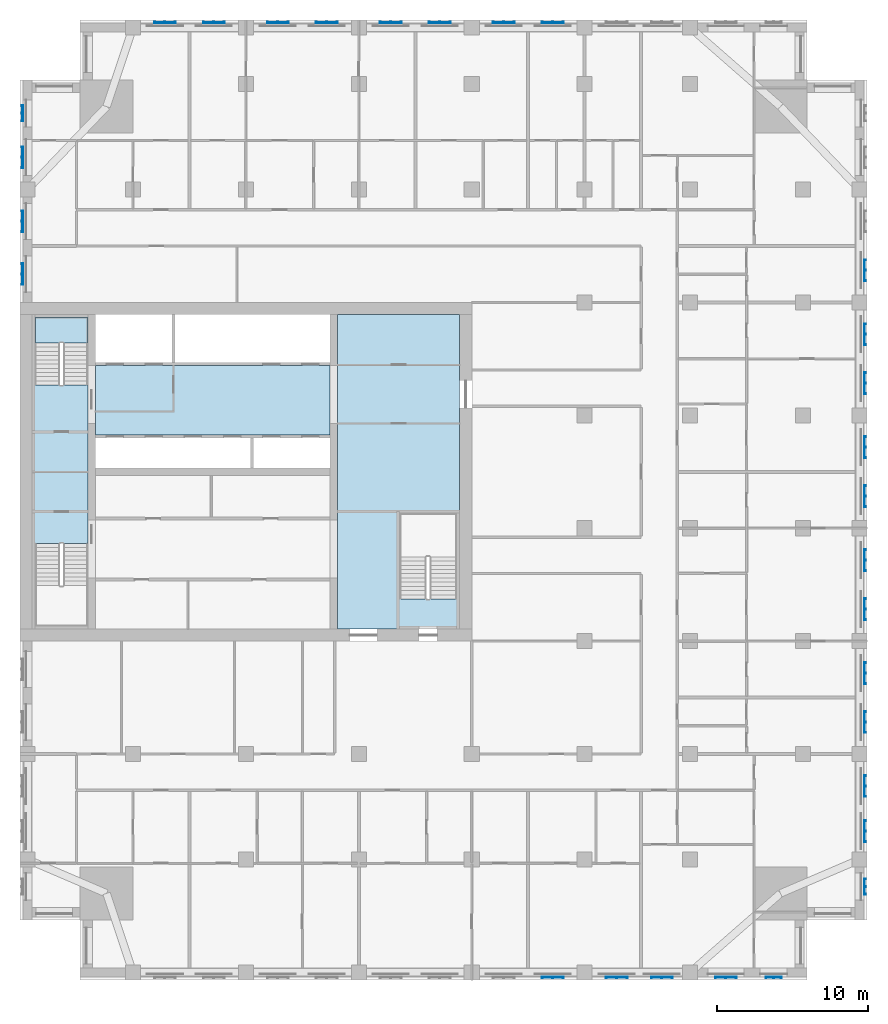
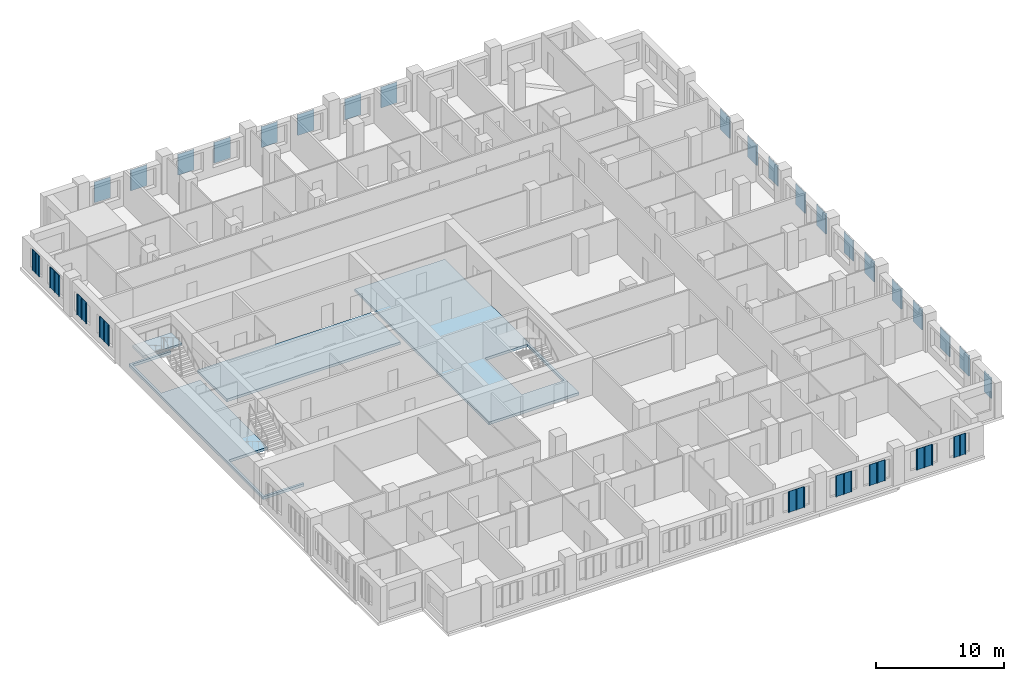
# One storey, part 2 of 14: 29 plates, 4 slabs, 1 element without a shape of its own.
"""IFC4 building model written with IfcOpenShell, lengths in metres."""

from ifc_helpers import new_model, si_unit, direction, frame, origin, place, context, subcontext, project, spatial, polyline, outline, extrude, material, layer, layer_set, type_object, element, aggregate, save


model = new_model("IFC4")

# Units and contexts
model_context = context("Model", 3, precision=1e-05, world=origin(), true_north=direction((0.0, 1.0)))
body_context = subcontext(model_context, "Body", "Model", "MODEL_VIEW")
ifc_project = project(units=[si_unit("LENGTHUNIT", "METRE"), si_unit("AREAUNIT", "SQUARE_METRE"), si_unit("VOLUMEUNIT", "CUBIC_METRE"), si_unit("PLANEANGLEUNIT", "RADIAN"), si_unit("MASSUNIT", "GRAM", prefix="KILO")], contexts=[model_context])

# Site, building, storey
site_placement = place(None, origin())
site = spatial("IfcSite", under=ifc_project, at=site_placement, CompositionType="ELEMENT")
building_placement = place(site_placement, origin())
building = spatial("IfcBuilding", under=site, at=building_placement, Name="Tamorin Gate", CompositionType="ELEMENT")
storey_placement = place(building_placement, frame((0.0, 0.0, 151.800048828125)))
storey = spatial("IfcBuildingStorey", under=building, at=storey_placement, Name="L37", CompositionType="ELEMENT", Elevation=151.800048828125)

# Slabs
ifc_material_1 = material(Name="Concrete C40/50", Category="concrete")
ifc_layer_1 = layer(ifc_material_1, 0.25)
ifc_layer_set_1 = layer_set([ifc_layer_1], Name="Core floor slab 250 C40/50")
slab_type_1 = type_object("IfcSlabType", Name="Core floor slab 250 C40/50", PredefinedType="FLOOR", material=ifc_layer_set_1)
slab_1_placement = place(storey_placement, frame((0.0, 0.0, -0.25)))
element("IfcSlab", 1, at=slab_1_placement, inside=storey, type_object=slab_type_1, Name="Core floor L37", PredefinedType="FLOOR", context=body_context, shape_type="SweptSolid", body=[
    extrude(outline(polyline([(51.10009765625, 81.699951171875), (59.199951171875, 81.699951171875), (59.199951171875, 60.800048828125), (51.10009765625, 60.800048828125), (51.10009765625, 81.699951171875)]), holes=[polyline([(55.199951171875, 62.800048828125), (59.0, 62.800048828125), (59.0, 68.5), (55.199951171875, 68.5), (55.199951171875, 62.800048828125)])]), origin(), (0.0, 0.0, 1.0), 0.25),
])
slab_2_placement = place(storey_placement, frame((0.0, 0.0, -0.25)))
element("IfcSlab", 2, at=slab_2_placement, inside=storey, type_object=slab_type_1, Name="Core floor L37", PredefinedType="FLOOR", context=body_context, shape_type="SweptSolid", body=[
    extrude(outline(polyline([(50.60009765625, 73.699951171875), (35.0, 73.699951171875), (35.0, 78.300048828125), (50.60009765625, 78.300048828125), (50.60009765625, 73.699951171875)])), origin(), (0.0, 0.0, 1.0), 0.25),
])
slab_3_placement = place(storey_placement, frame((0.0, 0.0, -0.25)))
element("IfcSlab", 3, at=slab_3_placement, inside=storey, type_object=slab_type_1, Name="Core floor L37", PredefinedType="FLOOR", context=body_context, shape_type="SweptSolid", body=[
    extrude(outline(polyline([(34.5, 60.800048828125), (30.800048828125, 60.800048828125), (30.800048828125, 81.699951171875), (34.5, 81.699951171875), (34.5, 81.5), (31.0, 81.5), (31.0, 77.0), (34.5, 77.0), (34.5, 66.5), (31.0, 66.5), (31.0, 61.0), (34.5, 61.0), (34.5, 60.800048828125)])), origin(), (0.0, 0.0, 1.0), 0.25),
])

# Stair, slab
stair_type = type_object("IfcStairType", Name="Exit stair", PredefinedType="HALF_TURN_STAIR", material=ifc_material_1)
stair_placement = place(storey_placement, origin())
stair = element("IfcStair", 4, at=stair_placement, inside=storey, type_object=stair_type, Name="L37 stair ST2", PredefinedType="HALF_TURN_STAIR")
ifc_layer_2 = layer(ifc_material_1, 0.199951171875)
ifc_layer_set_2 = layer_set([ifc_layer_2], Name="Exit stair landing 200")
slab_type_2 = type_object("IfcSlabType", Name="Exit stair landing 200", PredefinedType="LANDING", material=ifc_layer_set_2)
slab_4_placement = place(storey_placement, frame((0.0, 0.0, 1.599853515625)))
slab_4 = element("IfcSlab", 5, at=slab_4_placement, type_object=slab_type_2, Name="ST2 landing 1", PredefinedType="LANDING", context=body_context, shape_type="SweptSolid", body=[
    extrude(outline(polyline([(34.5, 79.800048828125), (34.5, 81.5), (31.0, 81.5), (31.0, 79.800048828125), (34.5, 79.800048828125)])), origin(), (0.0, 0.0, 1.0), 0.2001953125),
])
aggregate(stair, [slab_4])

# Plates
ifc_material_2 = material(Name="Perforated pale aluminium sheet", Category="aluminium")
ifc_layer_3 = layer(ifc_material_2, 0.0400390625)
ifc_layer_set_3 = layer_set([ifc_layer_3], Name="Pale metal solar screen 1080")
plate_type_1 = type_object("IfcPlateType", Name="Pale metal solar screen 1080", PredefinedType="SHEET", material=ifc_layer_set_3)
plate_1_placement = place(storey_placement, frame((0.0, 0.0, 0.7099609375)))
element("IfcPlate", 6, at=plate_1_placement, inside=storey, type_object=plate_type_1, Name="Perforated solar screen", PredefinedType="SHEET", context=body_context, shape_type="SweptSolid", body=[
    extrude(outline(polyline([(79.510009765625, 37.659912109375), (79.510009765625, 37.699951171875), (79.570068359375, 37.699951171875), (80.02001953125, 37.699951171875), (80.080078125, 37.699951171875), (80.530029296875, 37.699951171875), (80.590087890625, 37.699951171875), (80.590087890625, 37.659912109375), (80.590087890625, 37.60009765625), (80.530029296875, 37.60009765625), (80.530029296875, 37.659912109375), (80.080078125, 37.659912109375), (80.080078125, 37.60009765625), (80.02001953125, 37.60009765625), (80.02001953125, 37.659912109375), (79.570068359375, 37.659912109375), (79.570068359375, 37.60009765625), (79.510009765625, 37.60009765625), (79.510009765625, 37.659912109375)])), origin(), (0.0, 0.0, 1.0), 1.97998046875),
])
plate_2_placement = place(storey_placement, frame((0.0, 0.0, 0.7099609375)))
element("IfcPlate", 7, at=plate_2_placement, inside=storey, type_object=plate_type_1, Name="Perforated solar screen", PredefinedType="SHEET", context=body_context, shape_type="SweptSolid", body=[
    extrude(outline(polyline([(86.090087890625, 43.159912109375), (86.050048828125, 43.159912109375), (86.050048828125, 43.219970703125), (86.050048828125, 43.669921875), (86.050048828125, 43.72998046875), (86.050048828125, 44.179931640625), (86.050048828125, 44.239990234375), (86.090087890625, 44.239990234375), (86.14990234375, 44.239990234375), (86.14990234375, 44.179931640625), (86.090087890625, 44.179931640625), (86.090087890625, 43.72998046875), (86.14990234375, 43.72998046875), (86.14990234375, 43.669921875), (86.090087890625, 43.669921875), (86.090087890625, 43.219970703125), (86.14990234375, 43.219970703125), (86.14990234375, 43.159912109375), (86.090087890625, 43.159912109375)])), origin(), (0.0, 0.0, 1.0), 1.97998046875),
])
plate_3_placement = place(storey_placement, frame((0.0, 0.0, 0.7099609375)))
element("IfcPlate", 8, at=plate_3_placement, inside=storey, type_object=plate_type_1, Name="Perforated solar screen", PredefinedType="SHEET", context=body_context, shape_type="SweptSolid", body=[
    extrude(outline(polyline([(30.159912109375, 95.590087890625), (30.199951171875, 95.590087890625), (30.199951171875, 95.530029296875), (30.199951171875, 95.080078125), (30.199951171875, 95.02001953125), (30.199951171875, 94.570068359375), (30.199951171875, 94.510009765625), (30.159912109375, 94.510009765625), (30.10009765625, 94.510009765625), (30.10009765625, 94.570068359375), (30.159912109375, 94.570068359375), (30.159912109375, 95.02001953125), (30.10009765625, 95.02001953125), (30.10009765625, 95.080078125), (30.159912109375, 95.080078125), (30.159912109375, 95.530029296875), (30.10009765625, 95.530029296875), (30.10009765625, 95.590087890625), (30.159912109375, 95.590087890625)])), origin(), (0.0, 0.0, 1.0), 1.97998046875),
])
ifc_layer_4 = layer(ifc_material_2, 0.0400390625)
ifc_layer_set_4 = layer_set([ifc_layer_4], Name="Pale metal solar screen 1440")
plate_type_2 = type_object("IfcPlateType", Name="Pale metal solar screen 1440", PredefinedType="SHEET", material=ifc_layer_set_4)
plate_4_placement = place(storey_placement, frame((0.0, 0.0, 0.7099609375)))
element("IfcPlate", 9, at=plate_4_placement, inside=storey, type_object=plate_type_2, Name="Perforated solar screen", PredefinedType="SHEET", context=body_context, shape_type="SweptSolid", body=[
    extrude(outline(polyline([(64.655029296875, 37.659912109375), (64.655029296875, 37.699951171875), (64.715087890625, 37.699951171875), (65.344970703125, 37.699951171875), (65.405029296875, 37.699951171875), (66.034912109375, 37.699951171875), (66.094970703125, 37.699951171875), (66.094970703125, 37.659912109375), (66.094970703125, 37.60009765625), (66.034912109375, 37.60009765625), (66.034912109375, 37.659912109375), (65.405029296875, 37.659912109375), (65.405029296875, 37.60009765625), (65.344970703125, 37.60009765625), (65.344970703125, 37.659912109375), (64.715087890625, 37.659912109375), (64.715087890625, 37.60009765625), (64.655029296875, 37.60009765625), (64.655029296875, 37.659912109375)])), origin(), (0.0, 0.0, 1.0), 1.97998046875),
])
plate_5_placement = place(storey_placement, frame((0.0, 0.0, 0.7099609375)))
element("IfcPlate", 10, at=plate_5_placement, inside=storey, type_object=plate_type_2, Name="Perforated solar screen", PredefinedType="SHEET", context=body_context, shape_type="SweptSolid", body=[
    extrude(outline(polyline([(68.905029296875, 37.659912109375), (68.905029296875, 37.699951171875), (68.965087890625, 37.699951171875), (69.594970703125, 37.699951171875), (69.655029296875, 37.699951171875), (70.284912109375, 37.699951171875), (70.344970703125, 37.699951171875), (70.344970703125, 37.659912109375), (70.344970703125, 37.60009765625), (70.284912109375, 37.60009765625), (70.284912109375, 37.659912109375), (69.655029296875, 37.659912109375), (69.655029296875, 37.60009765625), (69.594970703125, 37.60009765625), (69.594970703125, 37.659912109375), (68.965087890625, 37.659912109375), (68.965087890625, 37.60009765625), (68.905029296875, 37.60009765625), (68.905029296875, 37.659912109375)])), origin(), (0.0, 0.0, 1.0), 1.97998046875),
])
plate_6_placement = place(storey_placement, frame((0.0, 0.0, 0.7099609375)))
element("IfcPlate", 11, at=plate_6_placement, inside=storey, type_object=plate_type_2, Name="Perforated solar screen", PredefinedType="SHEET", context=body_context, shape_type="SweptSolid", body=[
    extrude(outline(polyline([(71.905029296875, 37.659912109375), (71.905029296875, 37.699951171875), (71.965087890625, 37.699951171875), (72.594970703125, 37.699951171875), (72.655029296875, 37.699951171875), (73.284912109375, 37.699951171875), (73.344970703125, 37.699951171875), (73.344970703125, 37.659912109375), (73.344970703125, 37.60009765625), (73.284912109375, 37.60009765625), (73.284912109375, 37.659912109375), (72.655029296875, 37.659912109375), (72.655029296875, 37.60009765625), (72.594970703125, 37.60009765625), (72.594970703125, 37.659912109375), (71.965087890625, 37.659912109375), (71.965087890625, 37.60009765625), (71.905029296875, 37.60009765625), (71.905029296875, 37.659912109375)])), origin(), (0.0, 0.0, 1.0), 1.97998046875),
])
plate_7_placement = place(storey_placement, frame((0.0, 0.0, 0.7099609375)))
element("IfcPlate", 12, at=plate_7_placement, inside=storey, type_object=plate_type_2, Name="Perforated solar screen", PredefinedType="SHEET", context=body_context, shape_type="SweptSolid", body=[
    extrude(outline(polyline([(76.155029296875, 37.659912109375), (76.155029296875, 37.699951171875), (76.215087890625, 37.699951171875), (76.844970703125, 37.699951171875), (76.905029296875, 37.699951171875), (77.534912109375, 37.699951171875), (77.594970703125, 37.699951171875), (77.594970703125, 37.659912109375), (77.594970703125, 37.60009765625), (77.534912109375, 37.60009765625), (77.534912109375, 37.659912109375), (76.905029296875, 37.659912109375), (76.905029296875, 37.60009765625), (76.844970703125, 37.60009765625), (76.844970703125, 37.659912109375), (76.215087890625, 37.659912109375), (76.215087890625, 37.60009765625), (76.155029296875, 37.60009765625), (76.155029296875, 37.659912109375)])), origin(), (0.0, 0.0, 1.0), 1.97998046875),
])
plate_8_placement = place(storey_placement, frame((0.0, 0.0, 0.7099609375)))
element("IfcPlate", 13, at=plate_8_placement, inside=storey, type_object=plate_type_2, Name="Perforated solar screen", PredefinedType="SHEET", context=body_context, shape_type="SweptSolid", body=[
    extrude(outline(polyline([(86.090087890625, 46.655029296875), (86.050048828125, 46.655029296875), (86.050048828125, 46.715087890625), (86.050048828125, 47.344970703125), (86.050048828125, 47.405029296875), (86.050048828125, 48.034912109375), (86.050048828125, 48.094970703125), (86.050048828125, 48.094970703125), (86.090087890625, 48.094970703125), (86.090087890625, 48.094970703125), (86.14990234375, 48.094970703125), (86.14990234375, 48.034912109375), (86.090087890625, 48.034912109375), (86.090087890625, 47.405029296875), (86.14990234375, 47.405029296875), (86.14990234375, 47.344970703125), (86.090087890625, 47.344970703125), (86.090087890625, 46.715087890625), (86.14990234375, 46.715087890625), (86.14990234375, 46.655029296875), (86.090087890625, 46.655029296875)])), origin(), (0.0, 0.0, 1.0), 1.97998046875),
])
plate_9_placement = place(storey_placement, frame((0.0, 0.0, 0.7099609375)))
element("IfcPlate", 14, at=plate_9_placement, inside=storey, type_object=plate_type_2, Name="Perforated solar screen", PredefinedType="SHEET", context=body_context, shape_type="SweptSolid", body=[
    extrude(outline(polyline([(86.090087890625, 49.655029296875), (86.050048828125, 49.655029296875), (86.050048828125, 49.715087890625), (86.050048828125, 50.344970703125), (86.050048828125, 50.405029296875), (86.050048828125, 51.034912109375), (86.050048828125, 51.094970703125), (86.090087890625, 51.094970703125), (86.14990234375, 51.094970703125), (86.14990234375, 51.034912109375), (86.090087890625, 51.034912109375), (86.090087890625, 50.405029296875), (86.14990234375, 50.405029296875), (86.14990234375, 50.344970703125), (86.090087890625, 50.344970703125), (86.090087890625, 49.715087890625), (86.14990234375, 49.715087890625), (86.14990234375, 49.655029296875), (86.090087890625, 49.655029296875)])), origin(), (0.0, 0.0, 1.0), 1.97998046875),
])
plate_10_placement = place(storey_placement, frame((0.0, 0.0, 0.7099609375)))
element("IfcPlate", 15, at=plate_10_placement, inside=storey, type_object=plate_type_2, Name="Perforated solar screen", PredefinedType="SHEET", context=body_context, shape_type="SweptSolid", body=[
    extrude(outline(polyline([(86.090087890625, 53.905029296875), (86.050048828125, 53.905029296875), (86.050048828125, 53.965087890625), (86.050048828125, 54.594970703125), (86.050048828125, 54.655029296875), (86.050048828125, 55.284912109375), (86.050048828125, 55.344970703125), (86.090087890625, 55.344970703125), (86.14990234375, 55.344970703125), (86.14990234375, 55.284912109375), (86.090087890625, 55.284912109375), (86.090087890625, 54.655029296875), (86.14990234375, 54.655029296875), (86.14990234375, 54.594970703125), (86.090087890625, 54.594970703125), (86.090087890625, 53.965087890625), (86.14990234375, 53.965087890625), (86.14990234375, 53.905029296875), (86.090087890625, 53.905029296875)])), origin(), (0.0, 0.0, 1.0), 1.97998046875),
])
plate_11_placement = place(storey_placement, frame((0.0, 0.0, 0.7099609375)))
element("IfcPlate", 16, at=plate_11_placement, inside=storey, type_object=plate_type_2, Name="Perforated solar screen", PredefinedType="SHEET", context=body_context, shape_type="SweptSolid", body=[
    extrude(outline(polyline([(86.090087890625, 57.155029296875), (86.050048828125, 57.155029296875), (86.050048828125, 57.215087890625), (86.050048828125, 57.844970703125), (86.050048828125, 57.905029296875), (86.050048828125, 58.534912109375), (86.050048828125, 58.594970703125), (86.090087890625, 58.594970703125), (86.14990234375, 58.594970703125), (86.14990234375, 58.534912109375), (86.090087890625, 58.534912109375), (86.090087890625, 57.905029296875), (86.14990234375, 57.905029296875), (86.14990234375, 57.844970703125), (86.090087890625, 57.844970703125), (86.090087890625, 57.215087890625), (86.14990234375, 57.215087890625), (86.14990234375, 57.155029296875), (86.090087890625, 57.155029296875)])), origin(), (0.0, 0.0, 1.0), 1.97998046875),
])
plate_12_placement = place(storey_placement, frame((0.0, 0.0, 0.7099609375)))
element("IfcPlate", 17, at=plate_12_placement, inside=storey, type_object=plate_type_2, Name="Perforated solar screen", PredefinedType="SHEET", context=body_context, shape_type="SweptSolid", body=[
    extrude(outline(polyline([(86.090087890625, 61.405029296875), (86.050048828125, 61.405029296875), (86.050048828125, 61.465087890625), (86.050048828125, 62.094970703125), (86.050048828125, 62.155029296875), (86.050048828125, 62.784912109375), (86.050048828125, 62.844970703125), (86.090087890625, 62.844970703125), (86.14990234375, 62.844970703125), (86.14990234375, 62.784912109375), (86.090087890625, 62.784912109375), (86.090087890625, 62.155029296875), (86.14990234375, 62.155029296875), (86.14990234375, 62.094970703125), (86.090087890625, 62.094970703125), (86.090087890625, 61.465087890625), (86.14990234375, 61.465087890625), (86.14990234375, 61.405029296875), (86.090087890625, 61.405029296875)])), origin(), (0.0, 0.0, 1.0), 1.97998046875),
])
plate_13_placement = place(storey_placement, frame((0.0, 0.0, 0.7099609375)))
element("IfcPlate", 18, at=plate_13_placement, inside=storey, type_object=plate_type_2, Name="Perforated solar screen", PredefinedType="SHEET", context=body_context, shape_type="SweptSolid", body=[
    extrude(outline(polyline([(86.090087890625, 64.655029296875), (86.050048828125, 64.655029296875), (86.050048828125, 64.715087890625), (86.050048828125, 65.344970703125), (86.050048828125, 65.405029296875), (86.050048828125, 66.034912109375), (86.050048828125, 66.094970703125), (86.090087890625, 66.094970703125), (86.14990234375, 66.094970703125), (86.14990234375, 66.034912109375), (86.090087890625, 66.034912109375), (86.090087890625, 65.405029296875), (86.14990234375, 65.405029296875), (86.14990234375, 65.344970703125), (86.090087890625, 65.344970703125), (86.090087890625, 64.715087890625), (86.14990234375, 64.715087890625), (86.14990234375, 64.655029296875), (86.090087890625, 64.655029296875)])), origin(), (0.0, 0.0, 1.0), 1.97998046875),
])
plate_14_placement = place(storey_placement, frame((0.0, 0.0, 0.7099609375)))
element("IfcPlate", 19, at=plate_14_placement, inside=storey, type_object=plate_type_2, Name="Perforated solar screen", PredefinedType="SHEET", context=body_context, shape_type="SweptSolid", body=[
    extrude(outline(polyline([(86.090087890625, 68.905029296875), (86.050048828125, 68.905029296875), (86.050048828125, 68.965087890625), (86.050048828125, 69.594970703125), (86.050048828125, 69.655029296875), (86.050048828125, 70.284912109375), (86.050048828125, 70.344970703125), (86.090087890625, 70.344970703125), (86.14990234375, 70.344970703125), (86.14990234375, 70.284912109375), (86.090087890625, 70.284912109375), (86.090087890625, 69.655029296875), (86.14990234375, 69.655029296875), (86.14990234375, 69.594970703125), (86.090087890625, 69.594970703125), (86.090087890625, 68.965087890625), (86.14990234375, 68.965087890625), (86.14990234375, 68.905029296875), (86.090087890625, 68.905029296875)])), origin(), (0.0, 0.0, 1.0), 1.97998046875),
])
plate_15_placement = place(storey_placement, frame((0.0, 0.0, 0.7099609375)))
element("IfcPlate", 20, at=plate_15_placement, inside=storey, type_object=plate_type_2, Name="Perforated solar screen", PredefinedType="SHEET", context=body_context, shape_type="SweptSolid", body=[
    extrude(outline(polyline([(86.090087890625, 72.155029296875), (86.050048828125, 72.155029296875), (86.050048828125, 72.215087890625), (86.050048828125, 72.844970703125), (86.050048828125, 72.905029296875), (86.050048828125, 73.534912109375), (86.050048828125, 73.594970703125), (86.090087890625, 73.594970703125), (86.14990234375, 73.594970703125), (86.14990234375, 73.534912109375), (86.090087890625, 73.534912109375), (86.090087890625, 72.905029296875), (86.14990234375, 72.905029296875), (86.14990234375, 72.844970703125), (86.090087890625, 72.844970703125), (86.090087890625, 72.215087890625), (86.14990234375, 72.215087890625), (86.14990234375, 72.155029296875), (86.090087890625, 72.155029296875)])), origin(), (0.0, 0.0, 1.0), 1.97998046875),
])
plate_16_placement = place(storey_placement, frame((0.0, 0.0, 0.7099609375)))
element("IfcPlate", 21, at=plate_16_placement, inside=storey, type_object=plate_type_2, Name="Perforated solar screen", PredefinedType="SHEET", context=body_context, shape_type="SweptSolid", body=[
    extrude(outline(polyline([(86.090087890625, 76.405029296875), (86.050048828125, 76.405029296875), (86.050048828125, 76.465087890625), (86.050048828125, 77.094970703125), (86.050048828125, 77.155029296875), (86.050048828125, 77.784912109375), (86.050048828125, 77.844970703125), (86.090087890625, 77.844970703125), (86.14990234375, 77.844970703125), (86.14990234375, 77.784912109375), (86.090087890625, 77.784912109375), (86.090087890625, 77.155029296875), (86.14990234375, 77.155029296875), (86.14990234375, 77.094970703125), (86.090087890625, 77.094970703125), (86.090087890625, 76.465087890625), (86.14990234375, 76.465087890625), (86.14990234375, 76.405029296875), (86.090087890625, 76.405029296875)])), origin(), (0.0, 0.0, 1.0), 1.97998046875),
])
plate_17_placement = place(storey_placement, frame((0.0, 0.0, 0.7099609375)))
element("IfcPlate", 22, at=plate_17_placement, inside=storey, type_object=plate_type_2, Name="Perforated solar screen", PredefinedType="SHEET", context=body_context, shape_type="SweptSolid", body=[
    extrude(outline(polyline([(86.090087890625, 79.655029296875), (86.050048828125, 79.655029296875), (86.050048828125, 79.715087890625), (86.050048828125, 80.344970703125), (86.050048828125, 80.405029296875), (86.050048828125, 81.034912109375), (86.050048828125, 81.094970703125), (86.090087890625, 81.094970703125), (86.14990234375, 81.094970703125), (86.14990234375, 81.034912109375), (86.090087890625, 81.034912109375), (86.090087890625, 80.405029296875), (86.14990234375, 80.405029296875), (86.14990234375, 80.344970703125), (86.090087890625, 80.344970703125), (86.090087890625, 79.715087890625), (86.14990234375, 79.715087890625), (86.14990234375, 79.655029296875), (86.090087890625, 79.655029296875)])), origin(), (0.0, 0.0, 1.0), 1.97998046875),
])
plate_18_placement = place(storey_placement, frame((0.0, 0.0, 0.7099609375)))
element("IfcPlate", 23, at=plate_18_placement, inside=storey, type_object=plate_type_2, Name="Perforated solar screen", PredefinedType="SHEET", context=body_context, shape_type="SweptSolid", body=[
    extrude(outline(polyline([(86.090087890625, 83.905029296875), (86.050048828125, 83.905029296875), (86.050048828125, 83.965087890625), (86.050048828125, 84.594970703125), (86.050048828125, 84.655029296875), (86.050048828125, 85.284912109375), (86.050048828125, 85.344970703125), (86.090087890625, 85.344970703125), (86.14990234375, 85.344970703125), (86.14990234375, 85.284912109375), (86.090087890625, 85.284912109375), (86.090087890625, 84.655029296875), (86.14990234375, 84.655029296875), (86.14990234375, 84.594970703125), (86.090087890625, 84.594970703125), (86.090087890625, 83.965087890625), (86.14990234375, 83.965087890625), (86.14990234375, 83.905029296875), (86.090087890625, 83.905029296875)])), origin(), (0.0, 0.0, 1.0), 1.97998046875),
])
plate_19_placement = place(storey_placement, frame((0.0, 0.0, 0.7099609375)))
element("IfcPlate", 24, at=plate_19_placement, inside=storey, type_object=plate_type_2, Name="Perforated solar screen", PredefinedType="SHEET", context=body_context, shape_type="SweptSolid", body=[
    extrude(outline(polyline([(62.844970703125, 101.090087890625), (62.844970703125, 101.050048828125), (62.784912109375, 101.050048828125), (62.155029296875, 101.050048828125), (62.094970703125, 101.050048828125), (61.465087890625, 101.050048828125), (61.405029296875, 101.050048828125), (61.405029296875, 101.090087890625), (61.405029296875, 101.14990234375), (61.465087890625, 101.14990234375), (61.465087890625, 101.090087890625), (62.094970703125, 101.090087890625), (62.094970703125, 101.14990234375), (62.155029296875, 101.14990234375), (62.155029296875, 101.090087890625), (62.784912109375, 101.090087890625), (62.784912109375, 101.14990234375), (62.844970703125, 101.14990234375), (62.844970703125, 101.090087890625)])), origin(), (0.0, 0.0, 1.0), 1.97998046875),
])
plate_20_placement = place(storey_placement, frame((0.0, 0.0, 0.7099609375)))
element("IfcPlate", 25, at=plate_20_placement, inside=storey, type_object=plate_type_2, Name="Perforated solar screen", PredefinedType="SHEET", context=body_context, shape_type="SweptSolid", body=[
    extrude(outline(polyline([(66.094970703125, 101.090087890625), (66.094970703125, 101.050048828125), (66.034912109375, 101.050048828125), (65.405029296875, 101.050048828125), (65.344970703125, 101.050048828125), (64.715087890625, 101.050048828125), (64.655029296875, 101.050048828125), (64.655029296875, 101.090087890625), (64.655029296875, 101.14990234375), (64.715087890625, 101.14990234375), (64.715087890625, 101.090087890625), (65.344970703125, 101.090087890625), (65.344970703125, 101.14990234375), (65.405029296875, 101.14990234375), (65.405029296875, 101.090087890625), (66.034912109375, 101.090087890625), (66.034912109375, 101.14990234375), (66.094970703125, 101.14990234375), (66.094970703125, 101.090087890625)])), origin(), (0.0, 0.0, 1.0), 1.97998046875),
])
plate_21_placement = place(storey_placement, frame((0.0, 0.0, 0.7099609375)))
element("IfcPlate", 26, at=plate_21_placement, inside=storey, type_object=plate_type_2, Name="Perforated solar screen", PredefinedType="SHEET", context=body_context, shape_type="SweptSolid", body=[
    extrude(outline(polyline([(55.344970703125, 101.090087890625), (55.344970703125, 101.050048828125), (55.284912109375, 101.050048828125), (54.655029296875, 101.050048828125), (54.594970703125, 101.050048828125), (53.965087890625, 101.050048828125), (53.905029296875, 101.050048828125), (53.905029296875, 101.090087890625), (53.905029296875, 101.14990234375), (53.965087890625, 101.14990234375), (53.965087890625, 101.090087890625), (54.594970703125, 101.090087890625), (54.594970703125, 101.14990234375), (54.655029296875, 101.14990234375), (54.655029296875, 101.090087890625), (55.284912109375, 101.090087890625), (55.284912109375, 101.14990234375), (55.344970703125, 101.14990234375), (55.344970703125, 101.090087890625)])), origin(), (0.0, 0.0, 1.0), 1.97998046875),
])
plate_22_placement = place(storey_placement, frame((0.0, 0.0, 0.7099609375)))
element("IfcPlate", 27, at=plate_22_placement, inside=storey, type_object=plate_type_2, Name="Perforated solar screen", PredefinedType="SHEET", context=body_context, shape_type="SweptSolid", body=[
    extrude(outline(polyline([(58.594970703125, 101.090087890625), (58.594970703125, 101.050048828125), (58.534912109375, 101.050048828125), (57.905029296875, 101.050048828125), (57.844970703125, 101.050048828125), (57.215087890625, 101.050048828125), (57.155029296875, 101.050048828125), (57.155029296875, 101.090087890625), (57.155029296875, 101.14990234375), (57.215087890625, 101.14990234375), (57.215087890625, 101.090087890625), (57.844970703125, 101.090087890625), (57.844970703125, 101.14990234375), (57.905029296875, 101.14990234375), (57.905029296875, 101.090087890625), (58.534912109375, 101.090087890625), (58.534912109375, 101.14990234375), (58.594970703125, 101.14990234375), (58.594970703125, 101.090087890625)])), origin(), (0.0, 0.0, 1.0), 1.97998046875),
])
plate_23_placement = place(storey_placement, frame((0.0, 0.0, 0.7099609375)))
element("IfcPlate", 28, at=plate_23_placement, inside=storey, type_object=plate_type_2, Name="Perforated solar screen", PredefinedType="SHEET", context=body_context, shape_type="SweptSolid", body=[
    extrude(outline(polyline([(47.844970703125, 101.090087890625), (47.844970703125, 101.050048828125), (47.784912109375, 101.050048828125), (47.155029296875, 101.050048828125), (47.094970703125, 101.050048828125), (46.465087890625, 101.050048828125), (46.405029296875, 101.050048828125), (46.405029296875, 101.090087890625), (46.405029296875, 101.14990234375), (46.465087890625, 101.14990234375), (46.465087890625, 101.090087890625), (47.094970703125, 101.090087890625), (47.094970703125, 101.14990234375), (47.155029296875, 101.14990234375), (47.155029296875, 101.090087890625), (47.784912109375, 101.090087890625), (47.784912109375, 101.14990234375), (47.844970703125, 101.14990234375), (47.844970703125, 101.090087890625)])), origin(), (0.0, 0.0, 1.0), 1.97998046875),
])
plate_24_placement = place(storey_placement, frame((0.0, 0.0, 0.7099609375)))
element("IfcPlate", 29, at=plate_24_placement, inside=storey, type_object=plate_type_2, Name="Perforated solar screen", PredefinedType="SHEET", context=body_context, shape_type="SweptSolid", body=[
    extrude(outline(polyline([(51.094970703125, 101.090087890625), (51.094970703125, 101.050048828125), (51.034912109375, 101.050048828125), (50.405029296875, 101.050048828125), (50.344970703125, 101.050048828125), (49.715087890625, 101.050048828125), (49.655029296875, 101.050048828125), (49.655029296875, 101.090087890625), (49.655029296875, 101.14990234375), (49.715087890625, 101.14990234375), (49.715087890625, 101.090087890625), (50.344970703125, 101.090087890625), (50.344970703125, 101.14990234375), (50.405029296875, 101.14990234375), (50.405029296875, 101.090087890625), (51.034912109375, 101.090087890625), (51.034912109375, 101.14990234375), (51.094970703125, 101.14990234375), (51.094970703125, 101.090087890625)])), origin(), (0.0, 0.0, 1.0), 1.97998046875),
])
plate_25_placement = place(storey_placement, frame((0.0, 0.0, 0.7099609375)))
element("IfcPlate", 30, at=plate_25_placement, inside=storey, type_object=plate_type_2, Name="Perforated solar screen", PredefinedType="SHEET", context=body_context, shape_type="SweptSolid", body=[
    extrude(outline(polyline([(40.344970703125, 101.090087890625), (40.344970703125, 101.050048828125), (40.284912109375, 101.050048828125), (39.655029296875, 101.050048828125), (39.594970703125, 101.050048828125), (38.965087890625, 101.050048828125), (38.905029296875, 101.050048828125), (38.905029296875, 101.090087890625), (38.905029296875, 101.14990234375), (38.965087890625, 101.14990234375), (38.965087890625, 101.090087890625), (39.594970703125, 101.090087890625), (39.594970703125, 101.14990234375), (39.655029296875, 101.14990234375), (39.655029296875, 101.090087890625), (40.284912109375, 101.090087890625), (40.284912109375, 101.14990234375), (40.344970703125, 101.14990234375), (40.344970703125, 101.090087890625)])), origin(), (0.0, 0.0, 1.0), 1.97998046875),
])
plate_26_placement = place(storey_placement, frame((0.0, 0.0, 0.7099609375)))
element("IfcPlate", 31, at=plate_26_placement, inside=storey, type_object=plate_type_2, Name="Perforated solar screen", PredefinedType="SHEET", context=body_context, shape_type="SweptSolid", body=[
    extrude(outline(polyline([(43.594970703125, 101.090087890625), (43.594970703125, 101.050048828125), (43.534912109375, 101.050048828125), (42.905029296875, 101.050048828125), (42.844970703125, 101.050048828125), (42.215087890625, 101.050048828125), (42.155029296875, 101.050048828125), (42.155029296875, 101.090087890625), (42.155029296875, 101.14990234375), (42.215087890625, 101.14990234375), (42.215087890625, 101.090087890625), (42.844970703125, 101.090087890625), (42.844970703125, 101.14990234375), (42.905029296875, 101.14990234375), (42.905029296875, 101.090087890625), (43.534912109375, 101.090087890625), (43.534912109375, 101.14990234375), (43.594970703125, 101.14990234375), (43.594970703125, 101.090087890625)])), origin(), (0.0, 0.0, 1.0), 1.97998046875),
])
plate_27_placement = place(storey_placement, frame((0.0, 0.0, 0.7099609375)))
element("IfcPlate", 32, at=plate_27_placement, inside=storey, type_object=plate_type_2, Name="Perforated solar screen", PredefinedType="SHEET", context=body_context, shape_type="SweptSolid", body=[
    extrude(outline(polyline([(30.159912109375, 92.844970703125), (30.199951171875, 92.844970703125), (30.199951171875, 92.784912109375), (30.199951171875, 92.155029296875), (30.199951171875, 92.094970703125), (30.199951171875, 91.465087890625), (30.199951171875, 91.405029296875), (30.199951171875, 91.405029296875), (30.159912109375, 91.405029296875), (30.159912109375, 91.405029296875), (30.10009765625, 91.405029296875), (30.10009765625, 91.465087890625), (30.159912109375, 91.465087890625), (30.159912109375, 92.094970703125), (30.10009765625, 92.094970703125), (30.10009765625, 92.155029296875), (30.159912109375, 92.155029296875), (30.159912109375, 92.784912109375), (30.10009765625, 92.784912109375), (30.10009765625, 92.844970703125), (30.159912109375, 92.844970703125)])), origin(), (0.0, 0.0, 1.0), 1.97998046875),
])
plate_28_placement = place(storey_placement, frame((0.0, 0.0, 0.7099609375)))
element("IfcPlate", 33, at=plate_28_placement, inside=storey, type_object=plate_type_2, Name="Perforated solar screen", PredefinedType="SHEET", context=body_context, shape_type="SweptSolid", body=[
    extrude(outline(polyline([(30.159912109375, 85.094970703125), (30.199951171875, 85.094970703125), (30.199951171875, 85.034912109375), (30.199951171875, 84.405029296875), (30.199951171875, 84.344970703125), (30.199951171875, 83.715087890625), (30.199951171875, 83.655029296875), (30.159912109375, 83.655029296875), (30.10009765625, 83.655029296875), (30.10009765625, 83.715087890625), (30.159912109375, 83.715087890625), (30.159912109375, 84.344970703125), (30.10009765625, 84.344970703125), (30.10009765625, 84.405029296875), (30.159912109375, 84.405029296875), (30.159912109375, 85.034912109375), (30.10009765625, 85.034912109375), (30.10009765625, 85.094970703125), (30.159912109375, 85.094970703125)])), origin(), (0.0, 0.0, 1.0), 1.97998046875),
])
plate_29_placement = place(storey_placement, frame((0.0, 0.0, 0.7099609375)))
element("IfcPlate", 34, at=plate_29_placement, inside=storey, type_object=plate_type_2, Name="Perforated solar screen", PredefinedType="SHEET", context=body_context, shape_type="SweptSolid", body=[
    extrude(outline(polyline([(30.159912109375, 88.594970703125), (30.199951171875, 88.594970703125), (30.199951171875, 88.534912109375), (30.199951171875, 87.905029296875), (30.199951171875, 87.844970703125), (30.199951171875, 87.215087890625), (30.199951171875, 87.155029296875), (30.159912109375, 87.155029296875), (30.10009765625, 87.155029296875), (30.10009765625, 87.215087890625), (30.159912109375, 87.215087890625), (30.159912109375, 87.844970703125), (30.10009765625, 87.844970703125), (30.10009765625, 87.905029296875), (30.159912109375, 87.905029296875), (30.159912109375, 88.534912109375), (30.10009765625, 88.534912109375), (30.10009765625, 88.594970703125), (30.159912109375, 88.594970703125)])), origin(), (0.0, 0.0, 1.0), 1.97998046875),
])

save(model, "model.ifc")
